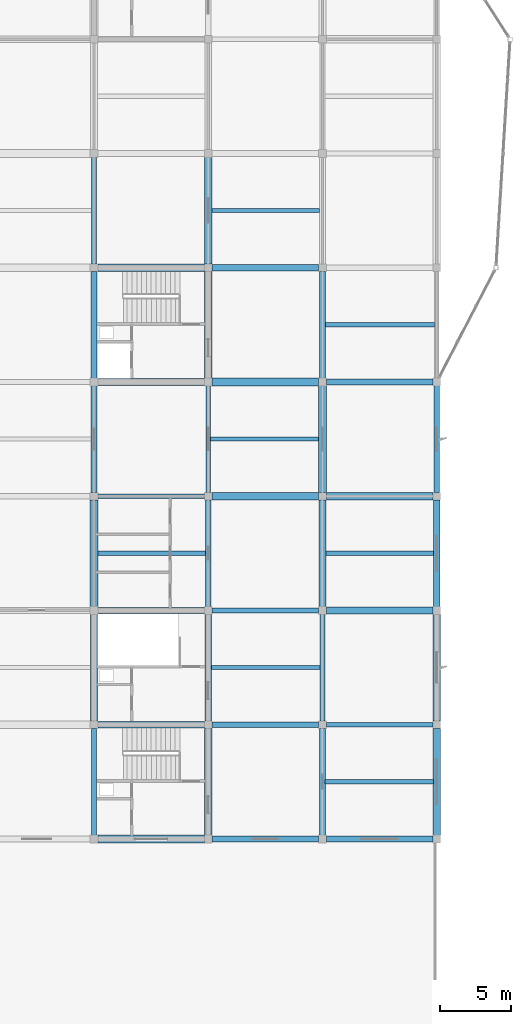
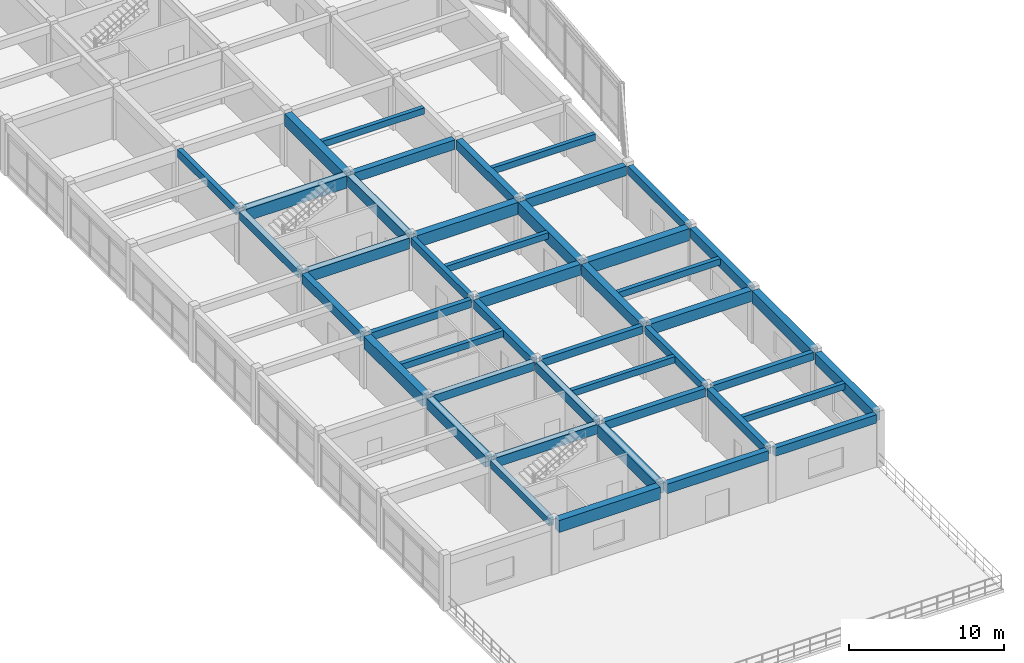
# One storey, part 19 of 33: 45 beams.
"""IFC4 building model written with IfcOpenShell, lengths in metres."""

from ifc_helpers import new_model, si_unit, direction, frame, origin, origin_2d, place, context, subcontext, project, spatial, rectangle, extrude, material, material_profile, profile_set, type_object, element, save


model = new_model("IFC4")

# Units and contexts
model_context = context("Model", 3, precision=1e-05, world=origin(), true_north=direction((0.0, 1.0)))
body_context = subcontext(model_context, "Body", "Model", "MODEL_VIEW")
ifc_project = project(units=[si_unit("LENGTHUNIT", "METRE"), si_unit("AREAUNIT", "SQUARE_METRE"), si_unit("VOLUMEUNIT", "CUBIC_METRE"), si_unit("PLANEANGLEUNIT", "RADIAN"), si_unit("MASSUNIT", "GRAM", prefix="KILO")], contexts=[model_context])

# Site, building, storey
site_placement = place(None, origin())
site = spatial("IfcSite", under=ifc_project, at=site_placement, CompositionType="ELEMENT")
building_placement = place(site_placement, origin())
building = spatial("IfcBuilding", under=site, at=building_placement, Name="Vaudrelin Polytechnic", CompositionType="ELEMENT")
storey_placement = place(building_placement, frame((0.0, 0.0, 27.3701171875)))
storey = spatial("IfcBuildingStorey", under=building, at=storey_placement, Name="L06", CompositionType="ELEMENT", Elevation=27.3701171875)

# Beams
ifc_material_1 = material(Name="Concrete 40 MPa", Category="concrete")
ifc_material_profile_1 = material_profile(ifc_material_1, rectangle(XDim=0.35009765625, YDim=0.60009765625, at=origin_2d()), Name="RC350x600")
ifc_profile_set_1 = profile_set([ifc_material_profile_1], Name="Concrete 40 MPa")
beam_type_1 = type_object("IfcBeamType", Name="BM-BM-RC3560", PredefinedType="BEAM", material=ifc_profile_set_1)
for number, where, z_axis, x_axis, name in (
    (1, (145.800048828125, 32.659912109375, 3.85986328125), (0.0, 1.0, 0.0), (-1.0, 0.0, 0.0), "L06 Y-beam 19-5"),
    (2, (145.800048828125, 73.159912109375, 3.85986328125), (0.0, 1.0, 0.0), (-1.0, 0.0, 0.0), "L06 Y-beam 19-10"),
    (3, (153.89990234375, 56.9599609375, 3.85986328125), (0.0, 1.0, 0.0), (-1.0, 0.0, 0.0), "L06 Y-beam 20-8"),
    (4, (162.0, 40.760009765625, 3.85986328125), (0.0, 1.0, 0.0), (-1.0, 0.0, 0.0), "L06 Y-beam 21-6"),
):
    element("IfcBeam", number, at=place(storey_placement, frame(where, z_axis=z_axis, x_axis=x_axis)), inside=storey, type_object=beam_type_1, Name=name, PredefinedType="BEAM", context=body_context, shape_type="SweptSolid", body=[
        extrude(rectangle(XDim=0.35009765625, YDim=0.60009765625, at=origin_2d()), origin(), (0.0, 0.0, 1.0), 7.580078125),
    ])
beam_1_placement = place(storey_placement, frame((146.071044921875, 56.699951171875, 3.85986328125), z_axis=(1.0, 0.0, 0.0), x_axis=(0.0, 1.0, 0.0)))
element("IfcBeam", 5, at=beam_1_placement, inside=storey, type_object=beam_type_1, Name="L06 X-beam 19-8", PredefinedType="BEAM", context=body_context, shape_type="SweptSolid", body=[
    extrude(rectangle(XDim=0.35009765625, YDim=0.60009765625, at=origin_2d()), origin(), (0.0, 0.0, 1.0), 7.557861328125),
])
for number, where, z_axis, x_axis, name in (
    (6, (154.1708984375, 48.60009765625, 3.85986328125), (1.0, 0.0, 0.0), (0.0, 1.0, 0.0), "L06 X-beam 20-7"),
    (7, (162.27099609375, 40.5, 3.85986328125), (1.0, 0.0, 0.0), (0.0, 1.0, 0.0), "L06 X-beam 21-6"),
):
    element("IfcBeam", number, at=place(storey_placement, frame(where, z_axis=z_axis, x_axis=x_axis)), inside=storey, type_object=beam_type_1, Name=name, PredefinedType="BEAM", context=body_context, shape_type="SweptSolid", body=[
        extrude(rectangle(XDim=0.35009765625, YDim=0.60009765625, at=origin_2d()), origin(), (0.0, 0.0, 1.0), 7.55810546875),
    ])
ifc_material_profile_2 = material_profile(ifc_material_1, rectangle(XDim=0.39990234375, YDim=0.64990234375, at=origin_2d()), Name="RC400x650")
ifc_profile_set_2 = profile_set([ifc_material_profile_2], Name="Concrete 40 MPa")
beam_type_2 = type_object("IfcBeamType", Name="BM-BM-RC4065", PredefinedType="BEAM", material=ifc_profile_set_2)
for number, where, z_axis, x_axis, name in (
    (8, (145.800048828125, 65.06005859375, 3.8349609375), (0.0, 1.0, 0.0), (-1.0, 0.0, 0.0), "L06 Y-beam 19-9"),
    (9, (153.89990234375, 48.860107421875, 3.8349609375), (0.0, 1.0, 0.0), (-1.0, 0.0, 0.0), "L06 Y-beam 20-7"),
):
    element("IfcBeam", number, at=place(storey_placement, frame(where, z_axis=z_axis, x_axis=x_axis)), inside=storey, type_object=beam_type_2, Name=name, PredefinedType="BEAM", context=body_context, shape_type="SweptSolid", body=[
        extrude(rectangle(XDim=0.39990234375, YDim=0.64990234375, at=origin_2d()), origin(), (0.0, 0.0, 1.0), 7.579833984375),
    ])
beam_2_placement = place(storey_placement, frame((162.0, 32.659912109375, 3.8349609375), z_axis=(0.0, 1.0, 0.0), x_axis=(-1.0, 0.0, 0.0)))
element("IfcBeam", 10, at=beam_2_placement, inside=storey, type_object=beam_type_2, Name="L06 Y-beam 21-5", PredefinedType="BEAM", context=body_context, shape_type="SweptSolid", body=[
    extrude(rectangle(XDim=0.39990234375, YDim=0.64990234375, at=origin_2d()), origin(), (0.0, 0.0, 1.0), 7.580078125),
])
beam_3_placement = place(storey_placement, frame((146.071044921875, 48.60009765625, 3.8349609375), z_axis=(1.0, 0.0, 0.0), x_axis=(0.0, 1.0, 0.0)))
element("IfcBeam", 11, at=beam_3_placement, inside=storey, type_object=beam_type_2, Name="L06 X-beam 19-7", PredefinedType="BEAM", context=body_context, shape_type="SweptSolid", body=[
    extrude(rectangle(XDim=0.39990234375, YDim=0.64990234375, at=origin_2d()), origin(), (0.0, 0.0, 1.0), 7.557861328125),
])
beam_4_placement = place(storey_placement, frame((154.1708984375, 40.5, 3.8349609375), z_axis=(1.0, 0.0, 0.0), x_axis=(0.0, 1.0, 0.0)))
element("IfcBeam", 12, at=beam_4_placement, inside=storey, type_object=beam_type_2, Name="L06 X-beam 20-6", PredefinedType="BEAM", context=body_context, shape_type="SweptSolid", body=[
    extrude(rectangle(XDim=0.39990234375, YDim=0.64990234375, at=origin_2d()), origin(), (0.0, 0.0, 1.0), 7.55810546875),
])
ifc_material_profile_3 = material_profile(ifc_material_1, rectangle(XDim=0.449951171875, YDim=0.75, at=origin_2d()), Name="RC450x750")
ifc_profile_set_3 = profile_set([ifc_material_profile_3], Name="Concrete 40 MPa")
beam_type_3 = type_object("IfcBeamType", Name="BM-BM-RC4575", PredefinedType="BEAM", material=ifc_profile_set_3)
for number, where, z_axis, x_axis, name in (
    (13, (145.800048828125, 56.9599609375, 3.784912109375), (0.0, 1.0, 0.0), (-1.0, 0.0, 0.0), "L06 Y-beam 19-8"),
    (14, (153.89990234375, 40.760009765625, 3.784912109375), (0.0, 1.0, 0.0), (-1.0, 0.0, 0.0), "L06 Y-beam 20-6"),
):
    element("IfcBeam", number, at=place(storey_placement, frame(where, z_axis=z_axis, x_axis=x_axis)), inside=storey, type_object=beam_type_3, Name=name, PredefinedType="BEAM", context=body_context, shape_type="SweptSolid", body=[
        extrude(rectangle(XDim=0.449951171875, YDim=0.75, at=origin_2d()), origin(), (0.0, 0.0, 1.0), 7.580078125),
    ])
for number, where, z_axis, x_axis, name in (
    (15, (162.0, 65.06005859375, 3.784912109375), (0.0, 1.0, 0.0), (-1.0, 0.0, 0.0), "L06 Y-beam 21-9"),
    (16, (170.10009765625, 48.860107421875, 3.784912109375), (0.0, 1.0, 0.0), (-1.0, 0.0, 0.0), "L06 Y-beam 22-7"),
):
    element("IfcBeam", number, at=place(storey_placement, frame(where, z_axis=z_axis, x_axis=x_axis)), inside=storey, type_object=beam_type_3, Name=name, PredefinedType="BEAM", context=body_context, shape_type="SweptSolid", body=[
        extrude(rectangle(XDim=0.449951171875, YDim=0.75, at=origin_2d()), origin(), (0.0, 0.0, 1.0), 7.579833984375),
    ])
beam_5_placement = place(storey_placement, frame((146.071044921875, 40.5, 3.784912109375), z_axis=(1.0, 0.0, 0.0), x_axis=(0.0, 1.0, 0.0)))
element("IfcBeam", 17, at=beam_5_placement, inside=storey, type_object=beam_type_3, Name="L06 X-beam 19-6", PredefinedType="BEAM", context=body_context, shape_type="SweptSolid", body=[
    extrude(rectangle(XDim=0.449951171875, YDim=0.75, at=origin_2d()), origin(), (0.0, 0.0, 1.0), 7.557861328125),
])
for number, where, z_axis, x_axis, name in (
    (18, (154.1708984375, 32.39990234375, 3.784912109375), (1.0, 0.0, 0.0), (0.0, 1.0, 0.0), "L06 X-beam 20-5"),
    (19, (154.1708984375, 72.89990234375, 3.784912109375), (1.0, 0.0, 0.0), (0.0, 1.0, 0.0), "L06 X-beam 20-10"),
    (20, (162.27099609375, 64.800048828125, 3.784912109375), (1.0, 0.0, 0.0), (0.0, 1.0, 0.0), "L06 X-beam 21-9"),
):
    element("IfcBeam", number, at=place(storey_placement, frame(where, z_axis=z_axis, x_axis=x_axis)), inside=storey, type_object=beam_type_3, Name=name, PredefinedType="BEAM", context=body_context, shape_type="SweptSolid", body=[
        extrude(rectangle(XDim=0.449951171875, YDim=0.75, at=origin_2d()), origin(), (0.0, 0.0, 1.0), 7.55810546875),
    ])
ifc_material_profile_4 = material_profile(ifc_material_1, rectangle(XDim=0.5, YDim=0.85009765625, at=origin_2d()), Name="RC500x850")
ifc_profile_set_4 = profile_set([ifc_material_profile_4], Name="Concrete 40 MPa")
beam_type_4 = type_object("IfcBeamType", Name="BM-BM-RC5085", PredefinedType="BEAM", material=ifc_profile_set_4)
beam_6_placement = place(storey_placement, frame((145.800048828125, 40.760009765625, 3.73486328125), z_axis=(0.0, 1.0, 0.0), x_axis=(-1.0, 0.0, 0.0)))
element("IfcBeam", 21, at=beam_6_placement, inside=storey, type_object=beam_type_4, Name="L06 Y-beam 19-6", PredefinedType="BEAM", context=body_context, shape_type="SweptSolid", body=[
    extrude(rectangle(XDim=0.5, YDim=0.85009765625, at=origin_2d()), origin(), (0.0, 0.0, 1.0), 7.580078125),
])
for number, where, z_axis, x_axis, name in (
    (22, (153.89990234375, 65.06005859375, 3.73486328125), (0.0, 1.0, 0.0), (-1.0, 0.0, 0.0), "L06 Y-beam 20-9"),
    (23, (162.0, 48.860107421875, 3.73486328125), (0.0, 1.0, 0.0), (-1.0, 0.0, 0.0), "L06 Y-beam 21-7"),
):
    element("IfcBeam", number, at=place(storey_placement, frame(where, z_axis=z_axis, x_axis=x_axis)), inside=storey, type_object=beam_type_4, Name=name, PredefinedType="BEAM", context=body_context, shape_type="SweptSolid", body=[
        extrude(rectangle(XDim=0.5, YDim=0.85009765625, at=origin_2d()), origin(), (0.0, 0.0, 1.0), 7.579833984375),
    ])
beam_7_placement = place(storey_placement, frame((170.10009765625, 32.659912109375, 3.73486328125), z_axis=(0.0, 1.0, 0.0), x_axis=(-1.0, 0.0, 0.0)))
element("IfcBeam", 24, at=beam_7_placement, inside=storey, type_object=beam_type_4, Name="L06 Y-beam 22-5", PredefinedType="BEAM", context=body_context, shape_type="SweptSolid", body=[
    extrude(rectangle(XDim=0.5, YDim=0.85009765625, at=origin_2d()), origin(), (0.0, 0.0, 1.0), 7.580078125),
])
beam_8_placement = place(storey_placement, frame((146.071044921875, 64.800048828125, 3.73486328125), z_axis=(1.0, 0.0, 0.0), x_axis=(0.0, 1.0, 0.0)))
element("IfcBeam", 25, at=beam_8_placement, inside=storey, type_object=beam_type_4, Name="L06 X-beam 19-9", PredefinedType="BEAM", context=body_context, shape_type="SweptSolid", body=[
    extrude(rectangle(XDim=0.5, YDim=0.85009765625, at=origin_2d()), origin(), (0.0, 0.0, 1.0), 7.557861328125),
])
for number, where, z_axis, x_axis, name in (
    (26, (154.1708984375, 56.699951171875, 3.73486328125), (1.0, 0.0, 0.0), (0.0, 1.0, 0.0), "L06 X-beam 20-8"),
    (27, (162.27099609375, 48.60009765625, 3.73486328125), (1.0, 0.0, 0.0), (0.0, 1.0, 0.0), "L06 X-beam 21-7"),
):
    element("IfcBeam", number, at=place(storey_placement, frame(where, z_axis=z_axis, x_axis=x_axis)), inside=storey, type_object=beam_type_4, Name=name, PredefinedType="BEAM", context=body_context, shape_type="SweptSolid", body=[
        extrude(rectangle(XDim=0.5, YDim=0.85009765625, at=origin_2d()), origin(), (0.0, 0.0, 1.0), 7.55810546875),
    ])
ifc_material_2 = material(Name="Concrete 50 MPa", Category="concrete")
ifc_material_profile_5 = material_profile(ifc_material_2, rectangle(XDim=0.550048828125, YDim=0.949951171875, at=origin_2d()), Name="RC550x950")
ifc_profile_set_5 = profile_set([ifc_material_profile_5], Name="Concrete 50 MPa")
beam_type_5 = type_object("IfcBeamType", Name="BM-BM-RC5595", PredefinedType="BEAM", material=ifc_profile_set_5)
beam_9_placement = place(storey_placement, frame((145.800048828125, 48.860107421875, 3.684814453125), z_axis=(0.0, 1.0, 0.0), x_axis=(-1.0, 0.0, 0.0)))
element("IfcBeam", 28, at=beam_9_placement, inside=storey, type_object=beam_type_5, Name="L06 Y-beam 19-7", PredefinedType="BEAM", context=body_context, shape_type="SweptSolid", body=[
    extrude(rectangle(XDim=0.550048828125, YDim=0.949951171875, at=origin_2d()), origin(), (0.0, 0.0, 1.0), 7.579833984375),
])
for number, where, z_axis, x_axis, name in (
    (29, (153.89990234375, 32.659912109375, 3.684814453125), (0.0, 1.0, 0.0), (-1.0, 0.0, 0.0), "L06 Y-beam 20-5"),
    (30, (153.89990234375, 73.159912109375, 3.684814453125), (0.0, 1.0, 0.0), (-1.0, 0.0, 0.0), "L06 Y-beam 20-10"),
    (31, (162.0, 56.9599609375, 3.684814453125), (0.0, 1.0, 0.0), (-1.0, 0.0, 0.0), "L06 Y-beam 21-8"),
    (32, (170.10009765625, 40.760009765625, 3.684814453125), (0.0, 1.0, 0.0), (-1.0, 0.0, 0.0), "L06 Y-beam 22-6"),
):
    element("IfcBeam", number, at=place(storey_placement, frame(where, z_axis=z_axis, x_axis=x_axis)), inside=storey, type_object=beam_type_5, Name=name, PredefinedType="BEAM", context=body_context, shape_type="SweptSolid", body=[
        extrude(rectangle(XDim=0.550048828125, YDim=0.949951171875, at=origin_2d()), origin(), (0.0, 0.0, 1.0), 7.580078125),
    ])
for number, where, z_axis, x_axis, name in (
    (33, (146.071044921875, 32.39990234375, 3.684814453125), (1.0, 0.0, 0.0), (0.0, 1.0, 0.0), "L06 X-beam 19-5"),
    (34, (146.071044921875, 72.89990234375, 3.684814453125), (1.0, 0.0, 0.0), (0.0, 1.0, 0.0), "L06 X-beam 19-10"),
):
    element("IfcBeam", number, at=place(storey_placement, frame(where, z_axis=z_axis, x_axis=x_axis)), inside=storey, type_object=beam_type_5, Name=name, PredefinedType="BEAM", context=body_context, shape_type="SweptSolid", body=[
        extrude(rectangle(XDim=0.550048828125, YDim=0.949951171875, at=origin_2d()), origin(), (0.0, 0.0, 1.0), 7.557861328125),
    ])
for number, where, z_axis, x_axis, name in (
    (35, (154.1708984375, 64.800048828125, 3.684814453125), (1.0, 0.0, 0.0), (0.0, 1.0, 0.0), "L06 X-beam 20-9"),
    (36, (162.27099609375, 56.699951171875, 3.684814453125), (1.0, 0.0, 0.0), (0.0, 1.0, 0.0), "L06 X-beam 21-8"),
):
    element("IfcBeam", number, at=place(storey_placement, frame(where, z_axis=z_axis, x_axis=x_axis)), inside=storey, type_object=beam_type_5, Name=name, PredefinedType="BEAM", context=body_context, shape_type="SweptSolid", body=[
        extrude(rectangle(XDim=0.550048828125, YDim=0.949951171875, at=origin_2d()), origin(), (0.0, 0.0, 1.0), 7.55810546875),
    ])
ifc_material_profile_6 = material_profile(ifc_material_1, rectangle(XDim=0.300048828125, YDim=0.5, at=origin_2d()), Name="RC300x500")
ifc_profile_set_6 = profile_set([ifc_material_profile_6], Name="Concrete 40 MPa")
beam_type_6 = type_object("IfcBeamType", Name="BM-JS-RC3050", PredefinedType="JOIST", material=ifc_profile_set_6)
beam_10_placement = place(storey_placement, frame((146.071044921875, 52.64990234375, 3.909912109375), z_axis=(1.0, 0.0, 0.0), x_axis=(0.0, 1.0, 0.0)))
element("IfcBeam", 37, at=beam_10_placement, inside=storey, type_object=beam_type_6, Name="L06 floor joist 19-7", PredefinedType="JOIST", context=body_context, shape_type="SweptSolid", body=[
    extrude(rectangle(XDim=0.300048828125, YDim=0.5, at=origin_2d()), origin(), (0.0, 0.0, 1.0), 7.633056640625),
])
beam_11_placement = place(storey_placement, frame((154.12109375, 44.550048828125, 3.909912109375), z_axis=(1.0, 0.0, 0.0), x_axis=(0.0, 1.0, 0.0)))
element("IfcBeam", 38, at=beam_11_placement, inside=storey, type_object=beam_type_6, Name="L06 floor joist 20-6", PredefinedType="JOIST", context=body_context, shape_type="SweptSolid", body=[
    extrude(rectangle(XDim=0.300048828125, YDim=0.5, at=origin_2d()), origin(), (0.0, 0.0, 1.0), 7.7080078125),
])
beam_12_placement = place(storey_placement, frame((154.071044921875, 60.75, 3.909912109375), z_axis=(1.0, 0.0, 0.0), x_axis=(0.0, 1.0, 0.0)))
element("IfcBeam", 39, at=beam_12_placement, inside=storey, type_object=beam_type_6, Name="L06 floor joist 20-8", PredefinedType="JOIST", context=body_context, shape_type="SweptSolid", body=[
    extrude(rectangle(XDim=0.300048828125, YDim=0.5, at=origin_2d()), origin(), (0.0, 0.0, 1.0), 7.657958984375),
])
beam_13_placement = place(storey_placement, frame((154.1708984375, 76.949951171875, 3.909912109375), z_axis=(1.0, 0.0, 0.0), x_axis=(0.0, 1.0, 0.0)))
element("IfcBeam", 40, at=beam_13_placement, inside=storey, type_object=beam_type_6, Name="L06 floor joist 20-10", PredefinedType="JOIST", context=body_context, shape_type="SweptSolid", body=[
    extrude(rectangle(XDim=0.300048828125, YDim=0.5, at=origin_2d()), origin(), (0.0, 0.0, 1.0), 7.633056640625),
])
beam_14_placement = place(storey_placement, frame((162.196044921875, 36.449951171875, 3.909912109375), z_axis=(1.0, 0.0, 0.0), x_axis=(0.0, 1.0, 0.0)))
element("IfcBeam", 41, at=beam_14_placement, inside=storey, type_object=beam_type_6, Name="L06 floor joist 21-5", PredefinedType="JOIST", context=body_context, shape_type="SweptSolid", body=[
    extrude(rectangle(XDim=0.300048828125, YDim=0.5, at=origin_2d()), origin(), (0.0, 0.0, 1.0), 7.657958984375),
])
beam_15_placement = place(storey_placement, frame((162.24609375, 52.64990234375, 3.909912109375), z_axis=(1.0, 0.0, 0.0), x_axis=(0.0, 1.0, 0.0)))
element("IfcBeam", 42, at=beam_15_placement, inside=storey, type_object=beam_type_6, Name="L06 floor joist 21-7", PredefinedType="JOIST", context=body_context, shape_type="SweptSolid", body=[
    extrude(rectangle(XDim=0.300048828125, YDim=0.5, at=origin_2d()), origin(), (0.0, 0.0, 1.0), 7.6328125),
])
beam_16_placement = place(storey_placement, frame((162.220947265625, 68.85009765625, 3.909912109375), z_axis=(1.0, 0.0, 0.0), x_axis=(0.0, 1.0, 0.0)))
element("IfcBeam", 43, at=beam_16_placement, inside=storey, type_object=beam_type_6, Name="L06 floor joist 21-9", PredefinedType="JOIST", context=body_context, shape_type="SweptSolid", body=[
    extrude(rectangle(XDim=0.300048828125, YDim=0.5, at=origin_2d()), origin(), (0.0, 0.0, 1.0), 7.7080078125),
])
ifc_material_profile_7 = material_profile(ifc_material_1, rectangle(XDim=0.39990234375, YDim=0.64990234375, at=origin_2d()), Name="RC400x650")
ifc_profile_set_7 = profile_set([ifc_material_profile_7], Name="Concrete 40 MPa")
beam_type_7 = type_object("IfcBeamType", Name="BM-SP-RC4065", PredefinedType="SPANDREL", material=ifc_profile_set_7)
beam_17_placement = place(storey_placement, frame((170.10009765625, 56.9599609375, 3.8349609375), z_axis=(0.0, 1.0, 0.0), x_axis=(-1.0, 0.0, 0.0)))
element("IfcBeam", 44, at=beam_17_placement, inside=storey, type_object=beam_type_7, Name="L06 Y-beam 22-8", PredefinedType="SPANDREL", context=body_context, shape_type="SweptSolid", body=[
    extrude(rectangle(XDim=0.39990234375, YDim=0.64990234375, at=origin_2d()), origin(), (0.0, 0.0, 1.0), 7.580078125),
])
beam_18_placement = place(storey_placement, frame((162.27099609375, 32.39990234375, 3.8349609375), z_axis=(1.0, 0.0, 0.0), x_axis=(0.0, 1.0, 0.0)))
element("IfcBeam", 45, at=beam_18_placement, inside=storey, type_object=beam_type_7, Name="L06 X-beam 21-5", PredefinedType="SPANDREL", context=body_context, shape_type="SweptSolid", body=[
    extrude(rectangle(XDim=0.39990234375, YDim=0.64990234375, at=origin_2d()), origin(), (0.0, 0.0, 1.0), 7.55810546875),
])

save(model, "model.ifc")
